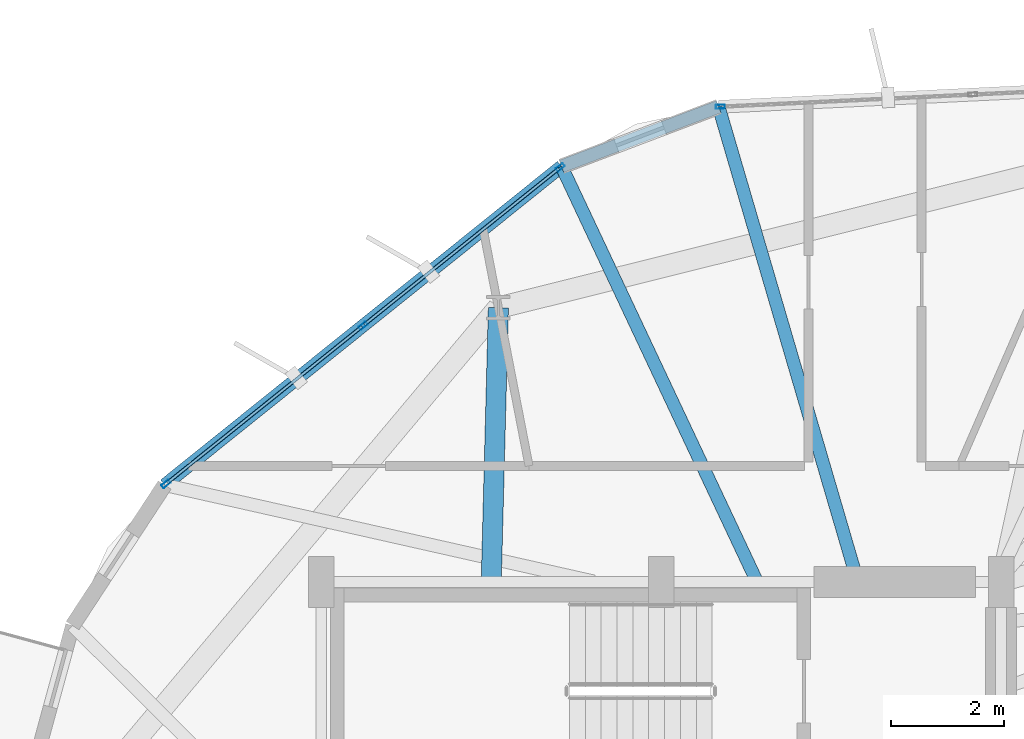
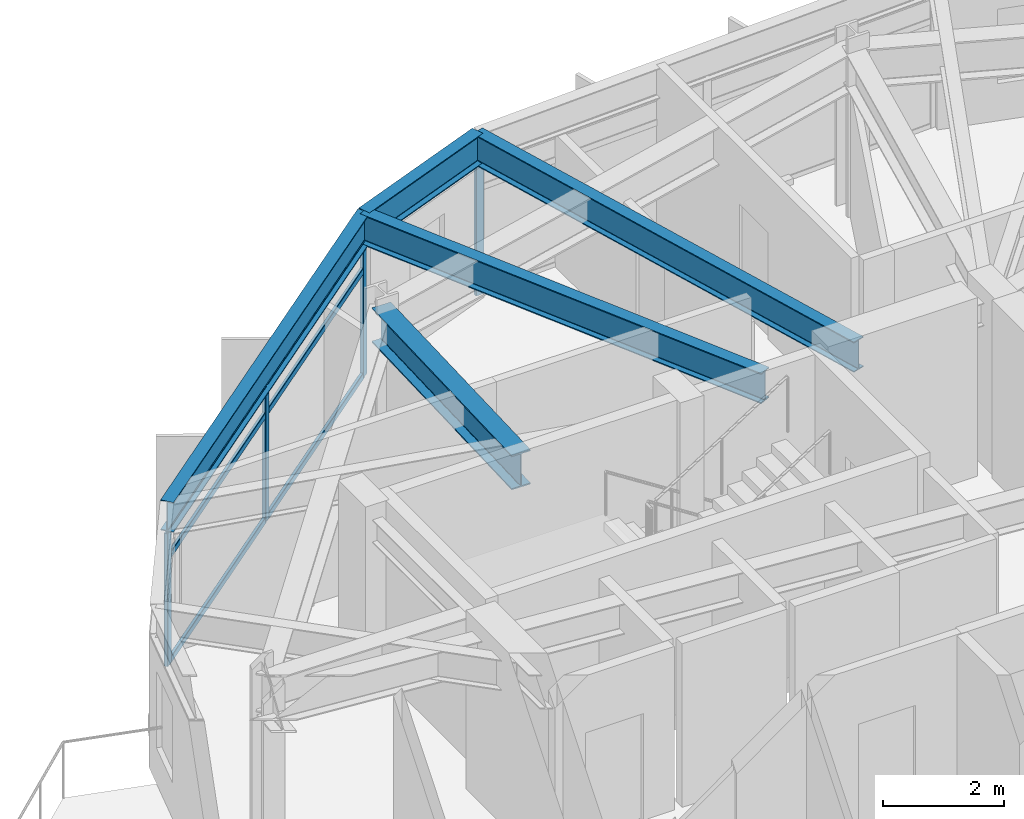
# One storey, part 13 of 23: 10 members, 5 beams, 2 elements without a shape of their own.
"""IFC4 building model written with IfcOpenShell, lengths in metres."""

from ifc_helpers import new_model, si_unit, direction, frame, origin, origin_2d, place, context, subcontext, project, spatial, hollow_rectangle, i_section, extrude, material, layer, layer_set, material_profile, profile_set, type_object, element, aggregate, save


model = new_model("IFC4")

# Units and contexts
model_context = context("Model", 3, precision=1e-05, world=origin(), true_north=direction((0.0, 1.0)))
body_context = subcontext(model_context, "Body", "Model", "MODEL_VIEW")
ifc_project = project(units=[si_unit("LENGTHUNIT", "METRE"), si_unit("AREAUNIT", "SQUARE_METRE"), si_unit("VOLUMEUNIT", "CUBIC_METRE"), si_unit("PLANEANGLEUNIT", "RADIAN"), si_unit("MASSUNIT", "GRAM", prefix="KILO")], contexts=[model_context])

# Site, building, storey
site_placement = place(None, origin())
site = spatial("IfcSite", under=ifc_project, at=site_placement, CompositionType="ELEMENT")
building_placement = place(site_placement, origin())
building = spatial("IfcBuilding", under=site, at=building_placement, Name="Soratama Intermodal Tower", CompositionType="ELEMENT")
storey_placement = place(building_placement, frame((0.0, 0.0, 175.0)))
storey = spatial("IfcBuildingStorey", under=building, at=storey_placement, Name="L43", CompositionType="ELEMENT", Elevation=175.0)

# Beams
ifc_material_1 = material(Name="Structural steel ASTM A992 Grade 50", Category="steel")
ifc_material_profile_1 = material_profile(ifc_material_1, i_section(OverallWidth=0.35498046875, OverallDepth=0.695068359375, WebThickness=0.015380859375, FlangeThickness=0.02490234375, FilletRadius=0.01611328125, at=origin_2d()), Name="W27X146")
ifc_profile_set_1 = profile_set([ifc_material_profile_1], Name="Structural steel ASTM A992 Grade 50")
beam_type_1 = type_object("IfcBeamType", Name="BM-RING-W27X146", PredefinedType="BEAM", material=ifc_profile_set_1)
beam_1_placement = place(storey_placement, frame((35.60009765625, 35.0, 2.952392578125), z_axis=(0.026013685955, 0.99966158681, 0.0), x_axis=(-0.99966158681, 0.026013685955, 0.0)))
element("IfcBeam", 1, at=beam_1_placement, inside=storey, type_object=beam_type_1, Name="BM-L43-RAD-04", PredefinedType="BEAM", context=body_context, shape_type="SweptSolid", body=[
    extrude(i_section(OverallWidth=0.35498046875, OverallDepth=0.695068359375, WebThickness=0.015380859375, FlangeThickness=0.02490234375, FilletRadius=0.01611328125, at=origin_2d()), origin(), (0.0, 0.0, 1.0), 4.8427734375),
])
ifc_material_2 = material(Name="Structural steel ASTM A992 Grade 50", Category="steel")
ifc_material_profile_2 = material_profile(ifc_material_2, i_section(OverallWidth=0.22900390625, OverallDepth=0.612060546875, WebThickness=0.011962890625, FlangeThickness=0.01953125, FilletRadius=0.012939453125, at=origin_2d()), Name="W24X84")
ifc_profile_set_2 = profile_set([ifc_material_profile_2], Name="Structural steel ASTM A992 Grade 50")
beam_type_2 = type_object("IfcBeamType", Name="BM-SPN-W24X84", PredefinedType="SPANDREL", material=ifc_profile_set_2)
beam_2_placement = place(storey_placement, frame((39.614990234375, 43.389892578125, 2.993896484375), z_axis=(-0.935017285541, -0.354602137247, 0.0), x_axis=(0.354602137247, -0.935017285541, 0.0)))
element("IfcBeam", 2, at=beam_2_placement, inside=storey, type_object=beam_type_2, Name="BS-L43-CRN02", PredefinedType="SPANDREL", context=body_context, shape_type="SweptSolid", body=[
    extrude(i_section(OverallWidth=0.22900390625, OverallDepth=0.612060546875, WebThickness=0.011962890625, FlangeThickness=0.01953125, FilletRadius=0.012939453125, at=origin_2d()), origin(), (0.0, 0.0, 1.0), 2.966796875),
])
beam_3_placement = place(storey_placement, frame((36.841064453125, 42.337890625, 2.993896484375), z_axis=(-0.77981800134, -0.626006297721, 0.0), x_axis=(0.626006297721, -0.77981800134, 0.0)))
element("IfcBeam", 3, at=beam_3_placement, inside=storey, type_object=beam_type_2, Name="BS-L43-F03", PredefinedType="SPANDREL", context=body_context, shape_type="SweptSolid", body=[
    extrude(i_section(OverallWidth=0.22900390625, OverallDepth=0.612060546875, WebThickness=0.011962890625, FlangeThickness=0.01953125, FilletRadius=0.012939453125, at=origin_2d()), origin(), (0.0, 0.0, 1.0), 8.985595703125),
])
ifc_material_3 = material(Name="Structural steel ASTM A992 Grade 50", Category="steel")
ifc_material_profile_3 = material_profile(ifc_material_3, i_section(OverallWidth=0.22900390625, OverallDepth=0.612060546875, WebThickness=0.011962890625, FlangeThickness=0.01953125, FilletRadius=0.012939453125, at=origin_2d()), Name="W24X84")
ifc_profile_set_3 = profile_set([ifc_material_profile_3], Name="Structural steel ASTM A992 Grade 50")
beam_type_3 = type_object("IfcBeamType", Name="BM-TIE-W24X84", PredefinedType="BEAM", material=ifc_profile_set_3)
beam_4_placement = place(storey_placement, frame((42.06103515625, 35.0380859375, 2.993896484375), z_axis=(-0.281069545609, 0.959687402507, 0.0), x_axis=(-0.959687402507, -0.281069545609, 0.0)))
element("IfcBeam", 4, at=beam_4_placement, inside=storey, type_object=beam_type_3, Name="BM-L43-TIE1-02", PredefinedType="BEAM", context=body_context, shape_type="SweptSolid", body=[
    extrude(i_section(OverallWidth=0.22900390625, OverallDepth=0.612060546875, WebThickness=0.011962890625, FlangeThickness=0.01953125, FilletRadius=0.012939453125, at=origin_2d()), origin(), (0.0, 0.0, 1.0), 8.70263671875),
])
beam_5_placement = place(storey_placement, frame((40.277099609375, 35.035888671875, 2.993896484375), z_axis=(-0.42577663921, 0.904828300565, 0.0), x_axis=(-0.904828300565, -0.42577663921, 0.0)))
element("IfcBeam", 5, at=beam_5_placement, inside=storey, type_object=beam_type_3, Name="BM-L43-TIE0-03", PredefinedType="BEAM", context=body_context, shape_type="SweptSolid", body=[
    extrude(i_section(OverallWidth=0.22900390625, OverallDepth=0.612060546875, WebThickness=0.011962890625, FlangeThickness=0.01953125, FilletRadius=0.012939453125, at=origin_2d()), origin(), (0.0, 0.0, 1.0), 8.070068359375),
])

# Curtain wall, member
ifc_material_4 = material(Name="Double-glazed aluminium curtain wall", Category="aluminium")
ifc_layer = layer(ifc_material_4, 0.159912109375)
ifc_layer_set = layer_set([ifc_layer], Name="Double-glazed aluminium curtain wall")
curtain_wall_type = type_object("IfcCurtainWallType", Name="CW-SYS-4", PredefinedType="NOTDEFINED", material=ifc_layer_set)
curtain_wall_1_placement = place(storey_placement, origin())
curtain_wall_1 = element("IfcCurtainWall", 6, at=curtain_wall_1_placement, inside=storey, type_object=curtain_wall_type, Name="L43 Faceted Curtain Wall F02", PredefinedType="NOTDEFINED")
ifc_material_5 = material(Name="Anodised aluminium AA 6063-T6", Category="aluminium")
ifc_material_profile_4 = material_profile(ifc_material_5, hollow_rectangle(XDim=0.070068359375, YDim=0.159912109375, WallThickness=0.0048828125, InnerFilletRadius=0.0048828125, OuterFilletRadius=0.010009765625, at=origin_2d()), Name="CWM160X70X5")
ifc_profile_set_4 = profile_set([ifc_material_profile_4], Name="Anodised aluminium AA 6063-T6")
member_type_1 = type_object("IfcMemberType", Name="MT-CWM-4", PredefinedType="MULLION", material=ifc_profile_set_4)
member_1_placement = place(storey_placement, frame((39.645263671875, 43.39111328125, 0.0), z_axis=(0.0, 0.0, 1.0), x_axis=(0.048154159913, -0.998839915544, 0.0)))
member_1 = element("IfcMember", 7, at=member_1_placement, type_object=member_type_1, Name="CW-4 mullion 3", PredefinedType="MULLION", context=body_context, shape_type="SweptSolid", body=[
    extrude(hollow_rectangle(XDim=0.070068359375, YDim=0.159912109375, WallThickness=0.0048828125, InnerFilletRadius=0.0048828125, OuterFilletRadius=0.010009765625, at=origin_2d()), origin(), (0.0, 0.0, 1.0), 2.678955078125),
])
aggregate(curtain_wall_1, [member_1])

# Curtain wall, members
curtain_wall_2_placement = place(storey_placement, origin())
curtain_wall_2 = element("IfcCurtainWall", 8, at=curtain_wall_2_placement, inside=storey, type_object=curtain_wall_type, Name="L43 Faceted Curtain Wall F03", PredefinedType="NOTDEFINED")
member_2_placement = place(storey_placement, frame((36.818115234375, 42.3193359375, 0.0), z_axis=(0.0, 0.0, 1.0), x_axis=(0.626056684823, -0.779777549938, 0.0)))
member_2 = element("IfcMember", 9, at=member_2_placement, type_object=member_type_1, Name="CW-4 mullion 1", PredefinedType="MULLION", context=body_context, shape_type="SweptSolid", body=[
    extrude(hollow_rectangle(XDim=0.070068359375, YDim=0.159912109375, WallThickness=0.0048828125, InnerFilletRadius=0.0048828125, OuterFilletRadius=0.010009765625, at=origin_2d()), origin(), (0.0, 0.0, 1.0), 2.678955078125),
])
member_3_placement = place(storey_placement, frame((33.337890625, 39.525390625, 0.0), z_axis=(0.0, 0.0, 1.0), x_axis=(0.626056684823, -0.779777549938, 0.0)))
member_3 = element("IfcMember", 10, at=member_3_placement, type_object=member_type_1, Name="CW-4 mullion 2", PredefinedType="MULLION", context=body_context, shape_type="SweptSolid", body=[
    extrude(hollow_rectangle(XDim=0.070068359375, YDim=0.159912109375, WallThickness=0.0048828125, InnerFilletRadius=0.0048828125, OuterFilletRadius=0.010009765625, at=origin_2d()), origin(), (0.0, 0.0, 1.0), 2.678955078125),
])
member_4_placement = place(storey_placement, frame((29.85791015625, 36.7314453125, 0.0), z_axis=(0.0, 0.0, 1.0), x_axis=(0.626056684823, -0.779777549938, 0.0)))
member_4 = element("IfcMember", 11, at=member_4_placement, type_object=member_type_1, Name="CW-4 mullion 3", PredefinedType="MULLION", context=body_context, shape_type="SweptSolid", body=[
    extrude(hollow_rectangle(XDim=0.070068359375, YDim=0.159912109375, WallThickness=0.0048828125, InnerFilletRadius=0.0048828125, OuterFilletRadius=0.010009765625, at=origin_2d()), origin(), (0.0, 0.0, 1.0), 2.678955078125),
])
ifc_material_6 = material(Name="Anodised aluminium AA 6063-T6", Category="aluminium")
ifc_material_profile_5 = material_profile(ifc_material_6, hollow_rectangle(XDim=0.06005859375, YDim=0.1298828125, WallThickness=0.0048828125, InnerFilletRadius=0.0048828125, OuterFilletRadius=0.010009765625, at=origin_2d()), Name="CWT130X60X5")
ifc_profile_set_5 = profile_set([ifc_material_profile_5], Name="Anodised aluminium AA 6063-T6")
member_type_2 = type_object("IfcMemberType", Name="TT-CWT-2", PredefinedType="USERDEFINED", material=ifc_profile_set_5)
member_5_placement = place(storey_placement, frame((36.794677734375, 42.300537109375, 0.030029296875), z_axis=(-0.77979652548, -0.626033049326, 0.0), x_axis=(0.626033049326, -0.77979652548, 0.0)))
member_5 = element("IfcMember", 12, at=member_5_placement, type_object=member_type_2, Name="CW-4 transom 1.1", ObjectType="TRANSOM", PredefinedType="USERDEFINED", context=body_context, shape_type="SweptSolid", body=[
    extrude(hollow_rectangle(XDim=0.06005859375, YDim=0.1298828125, WallThickness=0.0048828125, InnerFilletRadius=0.0048828125, OuterFilletRadius=0.010009765625, at=origin_2d()), origin(), (0.0, 0.0, 1.0), 4.40283203125),
])
member_6_placement = place(storey_placement, frame((36.794677734375, 42.300537109375, 2.14990234375), z_axis=(-0.77979652548, -0.626033049326, 0.0), x_axis=(0.626033049326, -0.77979652548, 0.0)))
member_6 = element("IfcMember", 13, at=member_6_placement, type_object=member_type_2, Name="CW-4 transom 1.2", ObjectType="TRANSOM", PredefinedType="USERDEFINED", context=body_context, shape_type="SweptSolid", body=[
    extrude(hollow_rectangle(XDim=0.06005859375, YDim=0.1298828125, WallThickness=0.0048828125, InnerFilletRadius=0.0048828125, OuterFilletRadius=0.010009765625, at=origin_2d()), origin(), (0.0, 0.0, 1.0), 4.40283203125),
])
member_7_placement = place(storey_placement, frame((36.794677734375, 42.300537109375, 2.64892578125), z_axis=(-0.77979652548, -0.626033049326, 0.0), x_axis=(0.626033049326, -0.77979652548, 0.0)))
member_7 = element("IfcMember", 14, at=member_7_placement, type_object=member_type_2, Name="CW-4 transom 1.3", ObjectType="TRANSOM", PredefinedType="USERDEFINED", context=body_context, shape_type="SweptSolid", body=[
    extrude(hollow_rectangle(XDim=0.06005859375, YDim=0.1298828125, WallThickness=0.0048828125, InnerFilletRadius=0.0048828125, OuterFilletRadius=0.010009765625, at=origin_2d()), origin(), (0.0, 0.0, 1.0), 4.40283203125),
])
member_8_placement = place(storey_placement, frame((33.314453125, 39.506591796875, 0.030029296875), z_axis=(-0.779774792164, -0.626060119722, 0.0), x_axis=(0.626060119722, -0.779774792164, 0.0)))
member_8 = element("IfcMember", 15, at=member_8_placement, type_object=member_type_2, Name="CW-4 transom 2.1", ObjectType="TRANSOM", PredefinedType="USERDEFINED", context=body_context, shape_type="SweptSolid", body=[
    extrude(hollow_rectangle(XDim=0.06005859375, YDim=0.1298828125, WallThickness=0.0048828125, InnerFilletRadius=0.0048828125, OuterFilletRadius=0.010009765625, at=origin_2d()), origin(), (0.0, 0.0, 1.0), 4.402587890625),
])
member_9_placement = place(storey_placement, frame((33.314453125, 39.506591796875, 2.14990234375), z_axis=(-0.779774792164, -0.626060119722, 0.0), x_axis=(0.626060119722, -0.779774792164, 0.0)))
member_9 = element("IfcMember", 16, at=member_9_placement, type_object=member_type_2, Name="CW-4 transom 2.2", ObjectType="TRANSOM", PredefinedType="USERDEFINED", context=body_context, shape_type="SweptSolid", body=[
    extrude(hollow_rectangle(XDim=0.06005859375, YDim=0.1298828125, WallThickness=0.0048828125, InnerFilletRadius=0.0048828125, OuterFilletRadius=0.010009765625, at=origin_2d()), origin(), (0.0, 0.0, 1.0), 4.402587890625),
])
member_10_placement = place(storey_placement, frame((33.314453125, 39.506591796875, 2.64892578125), z_axis=(-0.779774792164, -0.626060119722, 0.0), x_axis=(0.626060119722, -0.779774792164, 0.0)))
member_10 = element("IfcMember", 17, at=member_10_placement, type_object=member_type_2, Name="CW-4 transom 2.3", ObjectType="TRANSOM", PredefinedType="USERDEFINED", context=body_context, shape_type="SweptSolid", body=[
    extrude(hollow_rectangle(XDim=0.06005859375, YDim=0.1298828125, WallThickness=0.0048828125, InnerFilletRadius=0.0048828125, OuterFilletRadius=0.010009765625, at=origin_2d()), origin(), (0.0, 0.0, 1.0), 4.402587890625),
])
aggregate(curtain_wall_2, [member_2, member_3, member_4, member_5, member_6, member_7, member_8, member_9, member_10])

save(model, "model.ifc")
